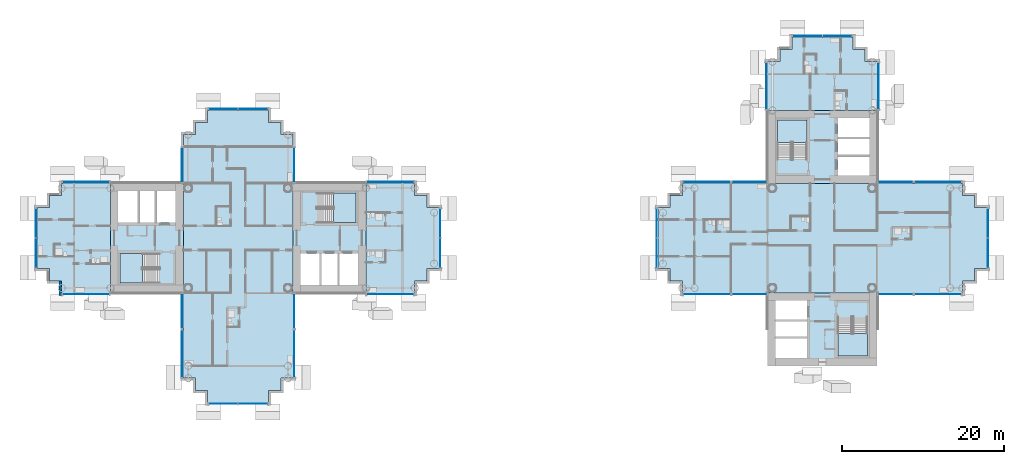
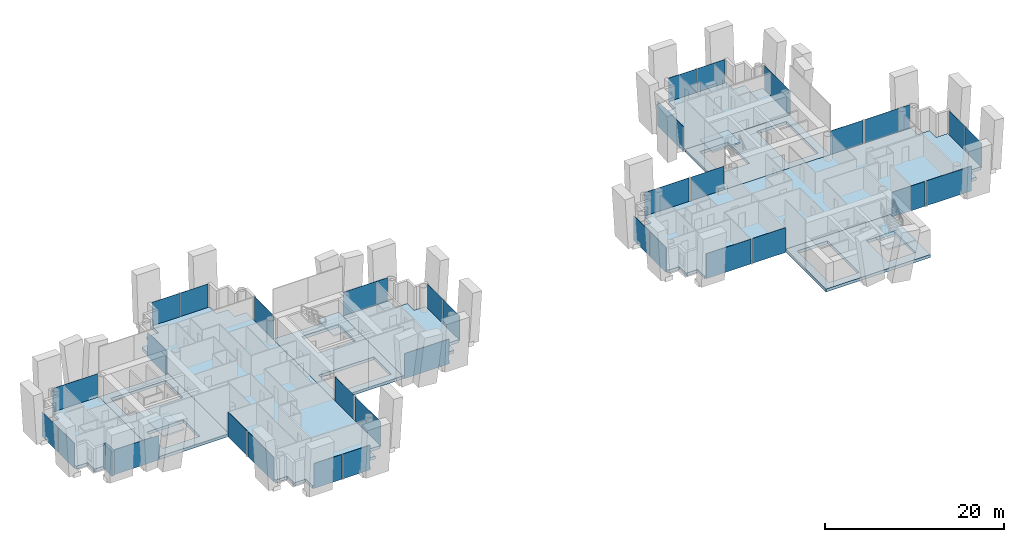
# One storey, part 7 of 21: 34 plates, 13 slabs, 1 wall, 31 elements without a shape of their own.
"""IFC4 building model written with IfcOpenShell, lengths in metres."""

from ifc_helpers import new_model, si_unit, direction, frame, frame_2d, origin, origin_2d, place, context, subcontext, project, spatial, polyline, rectangle, outline, extrude, material, layer, layer_set, type_object, element, aggregate, save


model = new_model("IFC4")

# Units and contexts
model_context = context("Model", 3, precision=1e-05, world=origin(), true_north=direction((0.0, 1.0)))
body_context = subcontext(model_context, "Body", "Model", "MODEL_VIEW")
ifc_project = project(units=[si_unit("LENGTHUNIT", "METRE"), si_unit("AREAUNIT", "SQUARE_METRE"), si_unit("VOLUMEUNIT", "CUBIC_METRE"), si_unit("PLANEANGLEUNIT", "RADIAN"), si_unit("MASSUNIT", "GRAM", prefix="KILO")], contexts=[model_context])

# Site, building, storey
site_placement = place(None, origin())
site = spatial("IfcSite", under=ifc_project, at=site_placement, CompositionType="ELEMENT")
building_placement = place(site_placement, origin())
building = spatial("IfcBuilding", under=site, at=building_placement, Name="Ipe Terrace Towers", CompositionType="ELEMENT")
storey_placement = place(building_placement, frame((0.0, 0.0, 107.199951171875)))
storey = spatial("IfcBuildingStorey", under=building, at=storey_placement, Name="L29", CompositionType="ELEMENT", Elevation=107.199951171875)

# Slabs
ifc_material_1 = material(Name="Concrete C30/37", Category="concrete")
ifc_layer_1 = layer(ifc_material_1, 0.39990234375)
ifc_layer_set_1 = layer_set([ifc_layer_1], Name="CORE FLOOR SLAB 400 C30-37")
slab_type_1 = type_object("IfcSlabType", Name="CORE FLOOR SLAB 400 C30-37", PredefinedType="FLOOR", material=ifc_layer_set_1)
slab_1_placement = place(storey_placement, frame((0.0, 0.0, -0.39990234375)))
element("IfcSlab", 1, at=slab_1_placement, inside=storey, type_object=slab_type_1, Name="Core floor T1-C1", PredefinedType="FLOOR", context=body_context, shape_type="SweptSolid", body=[
    extrude(outline(polyline([(-29.25, -6.75), (-29.25, 6.75), (-20.25, 6.75), (-20.25, -6.75), (-29.25, -6.75)]), holes=[polyline([(-28.300048828125, -5.800048828125), (-21.199951171875, -5.800048828125), (-21.199951171875, -1.89990234375), (-28.300048828125, -1.89990234375), (-28.300048828125, -5.800048828125)]), polyline([(-26.199951171875, 5.550048828125), (-26.199951171875, 1.89990234375), (-21.449951171875, 1.89990234375), (-21.449951171875, 5.550048828125), (-26.199951171875, 5.550048828125)])]), origin(), (0.0, 0.0, 1.0), 0.39990234375),
])
slab_2_placement = place(storey_placement, frame((0.0, 0.0, -0.39990234375)))
element("IfcSlab", 2, at=slab_2_placement, inside=storey, type_object=slab_type_1, Name="Core floor T1-C2", PredefinedType="FLOOR", context=body_context, shape_type="SweptSolid", body=[
    extrude(outline(polyline([(-51.75, -6.75), (-51.75, 6.75), (-42.75, 6.75), (-42.75, -6.75), (-51.75, -6.75)]), holes=[polyline([(-45.800048828125, -5.550048828125), (-45.800048828125, -1.89990234375), (-50.550048828125, -1.89990234375), (-50.550048828125, -5.550048828125), (-45.800048828125, -5.550048828125)]), polyline([(-50.800048828125, 1.89990234375), (-43.699951171875, 1.89990234375), (-43.699951171875, 5.800048828125), (-50.800048828125, 5.800048828125), (-50.800048828125, 1.89990234375)])]), origin(), (0.0, 0.0, 1.0), 0.39990234375),
])
slab_3_placement = place(storey_placement, frame((0.0, 0.0, -0.39990234375)))
element("IfcSlab", 3, at=slab_3_placement, inside=storey, type_object=slab_type_1, Name="Core floor T2-C1", PredefinedType="FLOOR", context=body_context, shape_type="SweptSolid", body=[
    extrude(outline(polyline([(29.25, 6.75), (29.25, 15.75), (42.75, 15.75), (42.75, 6.75), (29.25, 6.75)]), holes=[polyline([(41.800048828125, 7.699951171875), (41.800048828125, 14.800048828125), (37.89990234375, 14.800048828125), (37.89990234375, 7.699951171875), (41.800048828125, 7.699951171875)]), polyline([(30.449951171875, 9.800048828125), (34.10009765625, 9.800048828125), (34.10009765625, 14.550048828125), (30.449951171875, 14.550048828125), (30.449951171875, 9.800048828125)])]), origin(), (0.0, 0.0, 1.0), 0.39990234375),
])
slab_4_placement = place(storey_placement, frame((0.0, 0.0, -0.39990234375)))
element("IfcSlab", 4, at=slab_4_placement, inside=storey, type_object=slab_type_1, Name="Core floor T2-C2", PredefinedType="FLOOR", context=body_context, shape_type="SweptSolid", body=[
    extrude(outline(polyline([(29.25, -15.75), (29.25, -6.75), (42.75, -6.75), (42.75, -15.75), (29.25, -15.75)]), holes=[polyline([(34.10009765625, -14.800048828125), (34.10009765625, -7.699951171875), (30.199951171875, -7.699951171875), (30.199951171875, -14.800048828125), (34.10009765625, -14.800048828125)]), polyline([(41.550048828125, -9.800048828125), (37.89990234375, -9.800048828125), (37.89990234375, -14.550048828125), (41.550048828125, -14.550048828125), (41.550048828125, -9.800048828125)])]), origin(), (0.0, 0.0, 1.0), 0.39990234375),
])

# Stair, slab
ifc_material_2 = material(Name="Concrete C30/37", Category="concrete")
stair_type = type_object("IfcStairType", Name="Protected exit stair", PredefinedType="HALF_TURN_STAIR", material=ifc_material_2)
stair_1_placement = place(storey_placement, origin())
stair_1 = element("IfcStair", 5, at=stair_1_placement, inside=storey, type_object=stair_type, Name="L29 Exit stair T1-C1", PredefinedType="HALF_TURN_STAIR")
ifc_material_3 = material(Name="Concrete C30/37", Category="concrete")
ifc_layer_2 = layer(ifc_material_3, 0.199951171875)
ifc_layer_set_2 = layer_set([ifc_layer_2], Name="Exit stair landing 200")
slab_type_2 = type_object("IfcSlabType", Name="Exit stair landing 200", PredefinedType="LANDING", material=ifc_layer_set_2)
slab_5_placement = place(storey_placement, frame((0.0, 0.0, 1.5)))
slab_5 = element("IfcSlab", 6, at=slab_5_placement, type_object=slab_type_2, Name="T1-ST1 landing 1", PredefinedType="LANDING", context=body_context, shape_type="SweptSolid", body=[
    extrude(outline(polyline([(-24.219970703125, 1.89990234375), (-21.449951171875, 1.89990234375), (-21.449951171875, 5.550048828125), (-24.219970703125, 5.550048828125), (-24.219970703125, 1.89990234375)])), origin(), (0.0, 0.0, 1.0), 0.199951171875),
])
aggregate(stair_1, [slab_5])

stair_2_placement = place(storey_placement, origin())
stair_2 = element("IfcStair", 7, at=stair_2_placement, inside=storey, type_object=stair_type, Name="L29 Exit stair T1-C2", PredefinedType="HALF_TURN_STAIR")
slab_6_placement = place(storey_placement, frame((0.0, 0.0, 1.5)))
slab_6 = element("IfcSlab", 8, at=slab_6_placement, type_object=slab_type_2, Name="T1-ST2 landing 1", PredefinedType="LANDING", context=body_context, shape_type="SweptSolid", body=[
    extrude(outline(polyline([(-47.780029296875, -1.89990234375), (-50.550048828125, -1.89990234375), (-50.550048828125, -5.550048828125), (-47.780029296875, -5.550048828125), (-47.780029296875, -1.89990234375)])), origin(), (0.0, 0.0, 1.0), 0.199951171875),
])
aggregate(stair_2, [slab_6])

stair_3_placement = place(storey_placement, origin())
stair_3 = element("IfcStair", 9, at=stair_3_placement, inside=storey, type_object=stair_type, Name="L29 Exit stair T2-C1", PredefinedType="HALF_TURN_STAIR")
slab_7_placement = place(storey_placement, frame((0.0, 0.0, 1.5)))
slab_7 = element("IfcSlab", 10, at=slab_7_placement, type_object=slab_type_2, Name="T2-ST1 landing 1", PredefinedType="LANDING", context=body_context, shape_type="SweptSolid", body=[
    extrude(outline(polyline([(34.10009765625, 11.780029296875), (34.10009765625, 14.550048828125), (30.449951171875, 14.550048828125), (30.449951171875, 11.780029296875), (34.10009765625, 11.780029296875)])), origin(), (0.0, 0.0, 1.0), 0.199951171875),
])
aggregate(stair_3, [slab_7])

stair_4_placement = place(storey_placement, origin())
stair_4 = element("IfcStair", 11, at=stair_4_placement, inside=storey, type_object=stair_type, Name="L29 Exit stair T2-C2", PredefinedType="HALF_TURN_STAIR")
slab_8_placement = place(storey_placement, frame((0.0, 0.0, 1.5)))
slab_8 = element("IfcSlab", 12, at=slab_8_placement, type_object=slab_type_2, Name="T2-ST2 landing 1", PredefinedType="LANDING", context=body_context, shape_type="SweptSolid", body=[
    extrude(outline(polyline([(37.89990234375, -11.780029296875), (37.89990234375, -14.550048828125), (41.550048828125, -14.550048828125), (41.550048828125, -11.780029296875), (37.89990234375, -11.780029296875)])), origin(), (0.0, 0.0, 1.0), 0.199951171875),
])
aggregate(stair_4, [slab_8])

# Slabs
ifc_material_4 = material(Name="Concrete C40/50", Category="concrete")
ifc_layer_3 = layer(ifc_material_4, 0.39990234375)
ifc_layer_set_3 = layer_set([ifc_layer_3], Name="FLAT PLATE SLAB 400 C40-50")
slab_type_3 = type_object("IfcSlabType", Name="FLAT PLATE SLAB 400 C40-50", PredefinedType="FLOOR", material=ifc_layer_set_3)
slab_9_placement = place(storey_placement, frame((0.0, 0.0, -0.39990234375)))
element("IfcSlab", 13, at=slab_9_placement, inside=storey, type_object=slab_type_3, Name="Slab T1-FS-Z21", PredefinedType="FLOOR", context=body_context, shape_type="SweptSolid", body=[
    extrude(outline(polyline([(-30.75, -17.25), (-30.75, -18.75), (-32.25, -18.75), (-32.25, -20.25), (-39.75, -20.25), (-39.75, -18.75), (-41.25, -18.75), (-41.25, -17.25), (-42.75, -17.25), (-42.75, -6.75), (-42.75, 6.75), (-42.75, 12.75), (-41.25, 12.75), (-41.25, 14.25), (-39.75, 14.25), (-39.75, 15.75), (-32.25, 15.75), (-32.25, 14.25), (-30.75, 14.25), (-30.75, 12.75), (-29.25, 12.75), (-29.25, 6.75), (-29.25, -6.75), (-29.25, -17.25), (-30.75, -17.25)])), origin(), (0.0, 0.0, 1.0), 0.39990234375),
])
slab_10_placement = place(storey_placement, frame((0.0, 0.0, -0.39990234375)))
element("IfcSlab", 14, at=slab_10_placement, inside=storey, type_object=slab_type_3, Name="Slab T1-FS-Z22", PredefinedType="FLOOR", context=body_context, shape_type="SweptSolid", body=[
    extrude(outline(polyline([(-57.75, -6.75), (-57.75, -5.25), (-59.25, -5.25), (-59.25, -3.75), (-60.75, -3.75), (-60.75, 3.75), (-59.25, 3.75), (-59.25, 5.25), (-57.75, 5.25), (-57.75, 6.75), (-51.75, 6.75), (-51.75, -6.75), (-57.75, -6.75)])), origin(), (0.0, 0.0, 1.0), 0.39990234375),
])
slab_11_placement = place(storey_placement, frame((0.0, 0.0, -0.39990234375)))
element("IfcSlab", 15, at=slab_11_placement, inside=storey, type_object=slab_type_3, Name="Slab T1-FS-Z23", PredefinedType="FLOOR", context=body_context, shape_type="SweptSolid", body=[
    extrude(outline(polyline([(-14.25, 5.25), (-12.75, 5.25), (-12.75, 3.75), (-11.25, 3.75), (-11.25, -3.75), (-12.75, -3.75), (-12.75, -5.25), (-14.25, -5.25), (-14.25, -6.75), (-20.25, -6.75), (-20.25, 6.75), (-14.25, 6.75), (-14.25, 5.25)])), origin(), (0.0, 0.0, 1.0), 0.39990234375),
])
slab_12_placement = place(storey_placement, frame((0.0, 0.0, -0.39990234375)))
element("IfcSlab", 16, at=slab_12_placement, inside=storey, type_object=slab_type_3, Name="Slab T2-FS-Z21", PredefinedType="FLOOR", context=body_context, shape_type="SweptSolid", body=[
    extrude(outline(polyline([(53.25, 5.25), (54.75, 5.25), (54.75, 3.75), (56.25, 3.75), (56.25, -3.75), (54.75, -3.75), (54.75, -5.25), (53.25, -5.25), (53.25, -6.75), (42.75, -6.75), (29.25, -6.75), (18.75, -6.75), (18.75, -5.25), (17.25, -5.25), (17.25, -3.75), (15.75, -3.75), (15.75, 3.75), (17.25, 3.75), (17.25, 5.25), (18.75, 5.25), (18.75, 6.75), (29.25, 6.75), (42.75, 6.75), (53.25, 6.75), (53.25, 5.25)])), origin(), (0.0, 0.0, 1.0), 0.39990234375),
])
slab_13_placement = place(storey_placement, frame((0.0, 0.0, -0.39990234375)))
element("IfcSlab", 17, at=slab_13_placement, inside=storey, type_object=slab_type_3, Name="Slab T2-FS-Z22", PredefinedType="FLOOR", context=body_context, shape_type="SweptSolid", body=[
    extrude(outline(polyline([(30.75, 21.75), (30.75, 23.25), (32.25, 23.25), (32.25, 24.75), (39.75, 24.75), (39.75, 23.25), (41.25, 23.25), (41.25, 21.75), (42.75, 21.75), (42.75, 15.75), (29.25, 15.75), (29.25, 21.75), (30.75, 21.75)])), origin(), (0.0, 0.0, 1.0), 0.39990234375),
])

# Curtain wall, plate
ifc_material_5 = material(Name="Aluminium alloy 6063-T6", Category="aluminium")
ifc_layer_4 = layer(ifc_material_5, 0.320068359375)
ifc_layer_set_4 = layer_set([ifc_layer_4], Name="TOWER UNITISED CURTAIN WALL")
curtain_wall_type = type_object("IfcCurtainWallType", Name="TOWER UNITISED CURTAIN WALL", PredefinedType="NOTDEFINED", material=ifc_layer_set_4)
curtain_wall_1_placement = place(storey_placement, origin())
curtain_wall_1 = element("IfcCurtainWall", 18, at=curtain_wall_1_placement, inside=storey, type_object=curtain_wall_type, Name="T1-CW-L29-04a curtain wall", PredefinedType="NOTDEFINED")
ifc_material_6 = material(Name="Glass, clear laminated", Category="glass")
ifc_layer_5 = layer(ifc_material_6, 0.031982421875)
ifc_layer_set_5 = layer_set([ifc_layer_5], Name="TOWER UNITISED GLASS PANEL 32")
plate_type = type_object("IfcPlateType", Name="TOWER UNITISED GLASS PANEL 32", PredefinedType="CURTAIN_PANEL", material=ifc_layer_set_5)
plate_1_placement = place(storey_placement, frame((-54.75048828125, -6.909912109375, -0.2998046875), z_axis=(0.0, 0.0, 1.0), x_axis=(1.0, 0.0, 0.0)))
plate_1 = element("IfcPlate", 19, at=plate_1_placement, type_object=plate_type, Name="T1-CW-L29-04a panel 1", PredefinedType="CURTAIN_PANEL", context=body_context, shape_type="SweptSolid", body=[
    extrude(rectangle(XDim=5.759033203125, YDim=0.031982421875, at=origin_2d()), origin(), (0.0, 0.0, 1.0), 3.39990234375),
])
aggregate(curtain_wall_1, [plate_1])

curtain_wall_2_placement = place(storey_placement, origin())
curtain_wall_2 = element("IfcCurtainWall", 20, at=curtain_wall_2_placement, inside=storey, type_object=curtain_wall_type, Name="T1-CW-L29-06a curtain wall", PredefinedType="NOTDEFINED")
plate_2_placement = place(storey_placement, frame((-42.909912109375, -9.0, -0.2998046875), z_axis=(0.0, 0.0, 1.0), x_axis=(0.0, -1.0, 0.0)))
plate_2 = element("IfcPlate", 21, at=plate_2_placement, type_object=plate_type, Name="T1-CW-L29-06a panel 1", PredefinedType="CURTAIN_PANEL", context=body_context, shape_type="SweptSolid", body=[
    extrude(rectangle(XDim=4.260009765625, YDim=0.031982421875, at=origin_2d()), origin(), (0.0, 0.0, 1.0), 3.39990234375),
])
aggregate(curtain_wall_2, [plate_2])

curtain_wall_3_placement = place(storey_placement, origin())
curtain_wall_3 = element("IfcCurtainWall", 22, at=curtain_wall_3_placement, inside=storey, type_object=curtain_wall_type, Name="T1-CW-L29-07a curtain wall", PredefinedType="NOTDEFINED")
plate_3_placement = place(storey_placement, frame((-42.909912109375, -14.25, -0.2998046875), z_axis=(0.0, 0.0, 1.0), x_axis=(0.0, -1.0, 0.0)))
plate_3 = element("IfcPlate", 23, at=plate_3_placement, type_object=plate_type, Name="T1-CW-L29-07a panel 1", PredefinedType="CURTAIN_PANEL", context=body_context, shape_type="SweptSolid", body=[
    extrude(rectangle(XDim=5.760009765625, YDim=0.031982421875, at=origin_2d()), origin(), (0.0, 0.0, 1.0), 3.39990234375),
])
aggregate(curtain_wall_3, [plate_3])

# Curtain wall, plates
curtain_wall_4_placement = place(storey_placement, origin())
curtain_wall_4 = element("IfcCurtainWall", 24, at=curtain_wall_4_placement, inside=storey, type_object=curtain_wall_type, Name="T1-CW-L29-12a curtain wall", PredefinedType="NOTDEFINED")
plate_4_placement = place(storey_placement, frame((-37.831298828125, -20.409912109375, -0.2998046875), z_axis=(0.0, 0.0, 1.0), x_axis=(1.0, 0.0, 0.0)))
plate_4 = element("IfcPlate", 25, at=plate_4_placement, type_object=plate_type, Name="T1-CW-L29-12a panel 1", PredefinedType="CURTAIN_PANEL", context=body_context, shape_type="SweptSolid", body=[
    extrude(rectangle(XDim=3.597412109375, YDim=0.031982421875, at=origin_2d()), origin(), (0.0, 0.0, 1.0), 3.39990234375),
])
plate_5_placement = place(storey_placement, frame((-34.168701171875, -20.409912109375, -0.2998046875), z_axis=(0.0, 0.0, 1.0), x_axis=(1.0, 0.0, 0.0)))
plate_5 = element("IfcPlate", 26, at=plate_5_placement, type_object=plate_type, Name="T1-CW-L29-12a panel 2", PredefinedType="CURTAIN_PANEL", context=body_context, shape_type="SweptSolid", body=[
    extrude(rectangle(XDim=3.597412109375, YDim=0.031982421875, at=origin_2d()), origin(), (0.0, 0.0, 1.0), 3.39990234375),
])
aggregate(curtain_wall_4, [plate_4, plate_5])

# Curtain wall, plate
curtain_wall_5_placement = place(storey_placement, origin())
curtain_wall_5 = element("IfcCurtainWall", 27, at=curtain_wall_5_placement, inside=storey, type_object=curtain_wall_type, Name="T1-CW-L29-17a curtain wall", PredefinedType="NOTDEFINED")
plate_6_placement = place(storey_placement, frame((-29.090087890625, -14.25, -0.2998046875), z_axis=(0.0, 0.0, 1.0), x_axis=(0.0, 1.0, 0.0)))
plate_6 = element("IfcPlate", 28, at=plate_6_placement, type_object=plate_type, Name="T1-CW-L29-17a panel 1", PredefinedType="CURTAIN_PANEL", context=body_context, shape_type="SweptSolid", body=[
    extrude(rectangle(XDim=5.760009765625, YDim=0.031982421875, at=origin_2d()), origin(), (0.0, 0.0, 1.0), 3.39990234375),
])
aggregate(curtain_wall_5, [plate_6])

curtain_wall_6_placement = place(storey_placement, origin())
curtain_wall_6 = element("IfcCurtainWall", 29, at=curtain_wall_6_placement, inside=storey, type_object=curtain_wall_type, Name="T1-CW-L29-18a curtain wall", PredefinedType="NOTDEFINED")
plate_7_placement = place(storey_placement, frame((-29.090087890625, -9.0, -0.2998046875), z_axis=(0.0, 0.0, 1.0), x_axis=(0.0, 1.0, 0.0)))
plate_7 = element("IfcPlate", 30, at=plate_7_placement, type_object=plate_type, Name="T1-CW-L29-18a panel 1", PredefinedType="CURTAIN_PANEL", context=body_context, shape_type="SweptSolid", body=[
    extrude(rectangle(XDim=4.260009765625, YDim=0.031982421875, at=origin_2d()), origin(), (0.0, 0.0, 1.0), 3.39990234375),
])
aggregate(curtain_wall_6, [plate_7])

curtain_wall_7_placement = place(storey_placement, origin())
curtain_wall_7 = element("IfcCurtainWall", 31, at=curtain_wall_7_placement, inside=storey, type_object=curtain_wall_type, Name="T1-CW-L29-20b curtain wall", PredefinedType="NOTDEFINED")
plate_8_placement = place(storey_placement, frame((-17.24951171875, -6.909912109375, -0.2998046875), z_axis=(0.0, 0.0, 1.0), x_axis=(1.0, 0.0, 0.0)))
plate_8 = element("IfcPlate", 32, at=plate_8_placement, type_object=plate_type, Name="T1-CW-L29-20b panel 1", PredefinedType="CURTAIN_PANEL", context=body_context, shape_type="SweptSolid", body=[
    extrude(rectangle(XDim=5.759033203125, YDim=0.031982421875, at=origin_2d()), origin(), (0.0, 0.0, 1.0), 3.39990234375),
])
aggregate(curtain_wall_7, [plate_8])

# Curtain wall, plates
curtain_wall_8_placement = place(storey_placement, origin())
curtain_wall_8 = element("IfcCurtainWall", 33, at=curtain_wall_8_placement, inside=storey, type_object=curtain_wall_type, Name="T1-CW-L29-25a curtain wall", PredefinedType="NOTDEFINED")
plate_9_placement = place(storey_placement, frame((-11.090087890625, -1.831298828125, -0.2998046875), z_axis=(0.0, 0.0, 1.0), x_axis=(0.0, 1.0, 0.0)))
plate_9 = element("IfcPlate", 34, at=plate_9_placement, type_object=plate_type, Name="T1-CW-L29-25a panel 1", PredefinedType="CURTAIN_PANEL", context=body_context, shape_type="SweptSolid", body=[
    extrude(rectangle(XDim=3.597412109375, YDim=0.031982421875, at=origin_2d()), origin(), (0.0, 0.0, 1.0), 3.39990234375),
])
plate_10_placement = place(storey_placement, frame((-11.090087890625, 1.831298828125, -0.2998046875), z_axis=(0.0, 0.0, 1.0), x_axis=(0.0, 1.0, 0.0)))
plate_10 = element("IfcPlate", 35, at=plate_10_placement, type_object=plate_type, Name="T1-CW-L29-25a panel 2", PredefinedType="CURTAIN_PANEL", context=body_context, shape_type="SweptSolid", body=[
    extrude(rectangle(XDim=3.597412109375, YDim=0.031982421875, at=origin_2d()), origin(), (0.0, 0.0, 1.0), 3.39990234375),
])
aggregate(curtain_wall_8, [plate_9, plate_10])

# Curtain wall, plate
curtain_wall_9_placement = place(storey_placement, origin())
curtain_wall_9 = element("IfcCurtainWall", 36, at=curtain_wall_9_placement, inside=storey, type_object=curtain_wall_type, Name="T1-CW-L29-30a curtain wall", PredefinedType="NOTDEFINED")
plate_11_placement = place(storey_placement, frame((-17.24951171875, 6.909912109375, -0.2998046875), z_axis=(0.0, 0.0, 1.0), x_axis=(-1.0, 0.0, 0.0)))
plate_11 = element("IfcPlate", 37, at=plate_11_placement, type_object=plate_type, Name="T1-CW-L29-30a panel 1", PredefinedType="CURTAIN_PANEL", context=body_context, shape_type="SweptSolid", body=[
    extrude(rectangle(XDim=5.759033203125, YDim=0.031982421875, at=origin_2d()), origin(), (0.0, 0.0, 1.0), 3.39990234375),
])
aggregate(curtain_wall_9, [plate_11])

curtain_wall_10_placement = place(storey_placement, origin())
curtain_wall_10 = element("IfcCurtainWall", 38, at=curtain_wall_10_placement, inside=storey, type_object=curtain_wall_type, Name="T1-CW-L29-32a curtain wall", PredefinedType="NOTDEFINED")
plate_12_placement = place(storey_placement, frame((-29.090087890625, 9.0, -0.2998046875), z_axis=(0.0, 0.0, 1.0), x_axis=(0.0, 1.0, 0.0)))
plate_12 = element("IfcPlate", 39, at=plate_12_placement, type_object=plate_type, Name="T1-CW-L29-32a panel 1", PredefinedType="CURTAIN_PANEL", context=body_context, shape_type="SweptSolid", body=[
    extrude(rectangle(XDim=4.260009765625, YDim=0.031982421875, at=origin_2d()), origin(), (0.0, 0.0, 1.0), 3.39990234375),
])
aggregate(curtain_wall_10, [plate_12])

# Curtain wall, plates
curtain_wall_11_placement = place(storey_placement, origin())
curtain_wall_11 = element("IfcCurtainWall", 40, at=curtain_wall_11_placement, inside=storey, type_object=curtain_wall_type, Name="T1-CW-L29-38a curtain wall", PredefinedType="NOTDEFINED")
plate_13_placement = place(storey_placement, frame((-34.168701171875, 15.909912109375, -0.2998046875), z_axis=(0.0, 0.0, 1.0), x_axis=(-1.0, 0.0, 0.0)))
plate_13 = element("IfcPlate", 41, at=plate_13_placement, type_object=plate_type, Name="T1-CW-L29-38a panel 1", PredefinedType="CURTAIN_PANEL", context=body_context, shape_type="SweptSolid", body=[
    extrude(rectangle(XDim=3.597412109375, YDim=0.031982421875, at=origin_2d()), origin(), (0.0, 0.0, 1.0), 3.39990234375),
])
plate_14_placement = place(storey_placement, frame((-37.831298828125, 15.909912109375, -0.2998046875), z_axis=(0.0, 0.0, 1.0), x_axis=(-1.0, 0.0, 0.0)))
plate_14 = element("IfcPlate", 42, at=plate_14_placement, type_object=plate_type, Name="T1-CW-L29-38a panel 2", PredefinedType="CURTAIN_PANEL", context=body_context, shape_type="SweptSolid", body=[
    extrude(rectangle(XDim=3.597412109375, YDim=0.031982421875, at=origin_2d()), origin(), (0.0, 0.0, 1.0), 3.39990234375),
])
aggregate(curtain_wall_11, [plate_13, plate_14])

# Curtain wall, plate
curtain_wall_12_placement = place(storey_placement, origin())
curtain_wall_12 = element("IfcCurtainWall", 43, at=curtain_wall_12_placement, inside=storey, type_object=curtain_wall_type, Name="T1-CW-L29-44a curtain wall", PredefinedType="NOTDEFINED")
plate_15_placement = place(storey_placement, frame((-42.909912109375, 9.0, -0.2998046875), z_axis=(0.0, 0.0, 1.0), x_axis=(0.0, -1.0, 0.0)))
plate_15 = element("IfcPlate", 44, at=plate_15_placement, type_object=plate_type, Name="T1-CW-L29-44a panel 1", PredefinedType="CURTAIN_PANEL", context=body_context, shape_type="SweptSolid", body=[
    extrude(rectangle(XDim=4.260009765625, YDim=0.031982421875, at=origin_2d()), origin(), (0.0, 0.0, 1.0), 3.39990234375),
])
aggregate(curtain_wall_12, [plate_15])

curtain_wall_13_placement = place(storey_placement, origin())
curtain_wall_13 = element("IfcCurtainWall", 45, at=curtain_wall_13_placement, inside=storey, type_object=curtain_wall_type, Name="T1-CW-L29-46b curtain wall", PredefinedType="NOTDEFINED")
plate_16_placement = place(storey_placement, frame((-54.75048828125, 6.909912109375, -0.2998046875), z_axis=(0.0, 0.0, 1.0), x_axis=(-1.0, 0.0, 0.0)))
plate_16 = element("IfcPlate", 46, at=plate_16_placement, type_object=plate_type, Name="T1-CW-L29-46b panel 1", PredefinedType="CURTAIN_PANEL", context=body_context, shape_type="SweptSolid", body=[
    extrude(rectangle(XDim=5.759033203125, YDim=0.031982421875, at=origin_2d()), origin(), (0.0, 0.0, 1.0), 3.39990234375),
])
aggregate(curtain_wall_13, [plate_16])

# Curtain wall, plates
curtain_wall_14_placement = place(storey_placement, origin())
curtain_wall_14 = element("IfcCurtainWall", 47, at=curtain_wall_14_placement, inside=storey, type_object=curtain_wall_type, Name="T1-CW-L29-51a curtain wall", PredefinedType="NOTDEFINED")
plate_17_placement = place(storey_placement, frame((-60.909912109375, 1.831298828125, -0.2998046875), z_axis=(0.0, 0.0, 1.0), x_axis=(0.0, -1.0, 0.0)))
plate_17 = element("IfcPlate", 48, at=plate_17_placement, type_object=plate_type, Name="T1-CW-L29-51a panel 1", PredefinedType="CURTAIN_PANEL", context=body_context, shape_type="SweptSolid", body=[
    extrude(rectangle(XDim=3.597412109375, YDim=0.031982421875, at=origin_2d()), origin(), (0.0, 0.0, 1.0), 3.39990234375),
])
plate_18_placement = place(storey_placement, frame((-60.909912109375, -1.831298828125, -0.2998046875), z_axis=(0.0, 0.0, 1.0), x_axis=(0.0, -1.0, 0.0)))
plate_18 = element("IfcPlate", 49, at=plate_18_placement, type_object=plate_type, Name="T1-CW-L29-51a panel 2", PredefinedType="CURTAIN_PANEL", context=body_context, shape_type="SweptSolid", body=[
    extrude(rectangle(XDim=3.597412109375, YDim=0.031982421875, at=origin_2d()), origin(), (0.0, 0.0, 1.0), 3.39990234375),
])
aggregate(curtain_wall_14, [plate_17, plate_18])

# Curtain wall, plate
curtain_wall_15_placement = place(storey_placement, origin())
curtain_wall_15 = element("IfcCurtainWall", 50, at=curtain_wall_15_placement, inside=storey, type_object=curtain_wall_type, Name="T2-CW-L29-02a curtain wall", PredefinedType="NOTDEFINED")
plate_19_placement = place(storey_placement, frame((45.0, -6.909912109375, -0.2998046875), z_axis=(0.0, 0.0, 1.0), x_axis=(1.0, 0.0, 0.0)))
plate_19 = element("IfcPlate", 51, at=plate_19_placement, type_object=plate_type, Name="T2-CW-L29-02a panel 1", PredefinedType="CURTAIN_PANEL", context=body_context, shape_type="SweptSolid", body=[
    extrude(rectangle(XDim=4.260009765625, YDim=0.031982421875, at=origin_2d()), origin(), (0.0, 0.0, 1.0), 3.39990234375),
])
aggregate(curtain_wall_15, [plate_19])

curtain_wall_16_placement = place(storey_placement, origin())
curtain_wall_16 = element("IfcCurtainWall", 52, at=curtain_wall_16_placement, inside=storey, type_object=curtain_wall_type, Name="T2-CW-L29-03a curtain wall", PredefinedType="NOTDEFINED")
plate_20_placement = place(storey_placement, frame((50.25, -6.909912109375, -0.2998046875), z_axis=(0.0, 0.0, 1.0), x_axis=(1.0, 0.0, 0.0)))
plate_20 = element("IfcPlate", 53, at=plate_20_placement, type_object=plate_type, Name="T2-CW-L29-03a panel 1", PredefinedType="CURTAIN_PANEL", context=body_context, shape_type="SweptSolid", body=[
    extrude(rectangle(XDim=5.760009765625, YDim=0.031982421875, at=origin_2d()), origin(), (0.0, 0.0, 1.0), 3.39990234375),
])
aggregate(curtain_wall_16, [plate_20])

# Curtain wall, plates
curtain_wall_17_placement = place(storey_placement, origin())
curtain_wall_17 = element("IfcCurtainWall", 54, at=curtain_wall_17_placement, inside=storey, type_object=curtain_wall_type, Name="T2-CW-L29-08a curtain wall", PredefinedType="NOTDEFINED")
plate_21_placement = place(storey_placement, frame((56.409912109375, -1.831298828125, -0.2998046875), z_axis=(0.0, 0.0, 1.0), x_axis=(0.0, 1.0, 0.0)))
plate_21 = element("IfcPlate", 55, at=plate_21_placement, type_object=plate_type, Name="T2-CW-L29-08a panel 1", PredefinedType="CURTAIN_PANEL", context=body_context, shape_type="SweptSolid", body=[
    extrude(rectangle(XDim=3.597412109375, YDim=0.031982421875, at=origin_2d()), origin(), (0.0, 0.0, 1.0), 3.39990234375),
])
plate_22_placement = place(storey_placement, frame((56.409912109375, 1.831298828125, -0.2998046875), z_axis=(0.0, 0.0, 1.0), x_axis=(0.0, 1.0, 0.0)))
plate_22 = element("IfcPlate", 56, at=plate_22_placement, type_object=plate_type, Name="T2-CW-L29-08a panel 2", PredefinedType="CURTAIN_PANEL", context=body_context, shape_type="SweptSolid", body=[
    extrude(rectangle(XDim=3.597412109375, YDim=0.031982421875, at=origin_2d()), origin(), (0.0, 0.0, 1.0), 3.39990234375),
])
aggregate(curtain_wall_17, [plate_21, plate_22])

# Curtain wall, plate
curtain_wall_18_placement = place(storey_placement, origin())
curtain_wall_18 = element("IfcCurtainWall", 57, at=curtain_wall_18_placement, inside=storey, type_object=curtain_wall_type, Name="T2-CW-L29-13a curtain wall", PredefinedType="NOTDEFINED")
plate_23_placement = place(storey_placement, frame((50.25, 6.909912109375, -0.2998046875), z_axis=(0.0, 0.0, 1.0), x_axis=(-1.0, 0.0, 0.0)))
plate_23 = element("IfcPlate", 58, at=plate_23_placement, type_object=plate_type, Name="T2-CW-L29-13a panel 1", PredefinedType="CURTAIN_PANEL", context=body_context, shape_type="SweptSolid", body=[
    extrude(rectangle(XDim=5.760009765625, YDim=0.031982421875, at=origin_2d()), origin(), (0.0, 0.0, 1.0), 3.39990234375),
])
aggregate(curtain_wall_18, [plate_23])

curtain_wall_19_placement = place(storey_placement, origin())
curtain_wall_19 = element("IfcCurtainWall", 59, at=curtain_wall_19_placement, inside=storey, type_object=curtain_wall_type, Name="T2-CW-L29-14a curtain wall", PredefinedType="NOTDEFINED")
plate_24_placement = place(storey_placement, frame((45.0, 6.909912109375, -0.2998046875), z_axis=(0.0, 0.0, 1.0), x_axis=(-1.0, 0.0, 0.0)))
plate_24 = element("IfcPlate", 60, at=plate_24_placement, type_object=plate_type, Name="T2-CW-L29-14a panel 1", PredefinedType="CURTAIN_PANEL", context=body_context, shape_type="SweptSolid", body=[
    extrude(rectangle(XDim=4.260009765625, YDim=0.031982421875, at=origin_2d()), origin(), (0.0, 0.0, 1.0), 3.39990234375),
])
aggregate(curtain_wall_19, [plate_24])

curtain_wall_20_placement = place(storey_placement, origin())
curtain_wall_20 = element("IfcCurtainWall", 61, at=curtain_wall_20_placement, inside=storey, type_object=curtain_wall_type, Name="T2-CW-L29-16b curtain wall", PredefinedType="NOTDEFINED")
plate_25_placement = place(storey_placement, frame((42.909912109375, 18.75048828125, -0.2998046875), z_axis=(0.0, 0.0, 1.0), x_axis=(0.0, 1.0, 0.0)))
plate_25 = element("IfcPlate", 62, at=plate_25_placement, type_object=plate_type, Name="T2-CW-L29-16b panel 1", PredefinedType="CURTAIN_PANEL", context=body_context, shape_type="SweptSolid", body=[
    extrude(rectangle(XDim=5.759033203125, YDim=0.031982421875, at=origin_2d()), origin(), (0.0, 0.0, 1.0), 3.39990234375),
])
aggregate(curtain_wall_20, [plate_25])

# Curtain wall, plates
curtain_wall_21_placement = place(storey_placement, origin())
curtain_wall_21 = element("IfcCurtainWall", 63, at=curtain_wall_21_placement, inside=storey, type_object=curtain_wall_type, Name="T2-CW-L29-21a curtain wall", PredefinedType="NOTDEFINED")
plate_26_placement = place(storey_placement, frame((37.831298828125, 24.909912109375, -0.2998046875), z_axis=(0.0, 0.0, 1.0), x_axis=(-1.0, 0.0, 0.0)))
plate_26 = element("IfcPlate", 64, at=plate_26_placement, type_object=plate_type, Name="T2-CW-L29-21a panel 1", PredefinedType="CURTAIN_PANEL", context=body_context, shape_type="SweptSolid", body=[
    extrude(rectangle(XDim=3.597412109375, YDim=0.031982421875, at=origin_2d()), origin(), (0.0, 0.0, 1.0), 3.39990234375),
])
plate_27_placement = place(storey_placement, frame((34.168701171875, 24.909912109375, -0.2998046875), z_axis=(0.0, 0.0, 1.0), x_axis=(-1.0, 0.0, 0.0)))
plate_27 = element("IfcPlate", 65, at=plate_27_placement, type_object=plate_type, Name="T2-CW-L29-21a panel 2", PredefinedType="CURTAIN_PANEL", context=body_context, shape_type="SweptSolid", body=[
    extrude(rectangle(XDim=3.597412109375, YDim=0.031982421875, at=origin_2d()), origin(), (0.0, 0.0, 1.0), 3.39990234375),
])
aggregate(curtain_wall_21, [plate_26, plate_27])

# Curtain wall, plate
curtain_wall_22_placement = place(storey_placement, origin())
curtain_wall_22 = element("IfcCurtainWall", 66, at=curtain_wall_22_placement, inside=storey, type_object=curtain_wall_type, Name="T2-CW-L29-26a curtain wall", PredefinedType="NOTDEFINED")
plate_28_placement = place(storey_placement, frame((29.090087890625, 18.75048828125, -0.2998046875), z_axis=(0.0, 0.0, 1.0), x_axis=(0.0, -1.0, 0.0)))
plate_28 = element("IfcPlate", 67, at=plate_28_placement, type_object=plate_type, Name="T2-CW-L29-26a panel 1", PredefinedType="CURTAIN_PANEL", context=body_context, shape_type="SweptSolid", body=[
    extrude(rectangle(XDim=5.759033203125, YDim=0.031982421875, at=origin_2d()), origin(), (0.0, 0.0, 1.0), 3.39990234375),
])
aggregate(curtain_wall_22, [plate_28])

curtain_wall_23_placement = place(storey_placement, origin())
curtain_wall_23 = element("IfcCurtainWall", 68, at=curtain_wall_23_placement, inside=storey, type_object=curtain_wall_type, Name="T2-CW-L29-28a curtain wall", PredefinedType="NOTDEFINED")
plate_29_placement = place(storey_placement, frame((27.0, 6.909912109375, -0.2998046875), z_axis=(0.0, 0.0, 1.0), x_axis=(-1.0, 0.0, 0.0)))
plate_29 = element("IfcPlate", 69, at=plate_29_placement, type_object=plate_type, Name="T2-CW-L29-28a panel 1", PredefinedType="CURTAIN_PANEL", context=body_context, shape_type="SweptSolid", body=[
    extrude(rectangle(XDim=4.260009765625, YDim=0.031982421875, at=origin_2d()), origin(), (0.0, 0.0, 1.0), 3.39990234375),
])
aggregate(curtain_wall_23, [plate_29])

curtain_wall_24_placement = place(storey_placement, origin())
curtain_wall_24 = element("IfcCurtainWall", 70, at=curtain_wall_24_placement, inside=storey, type_object=curtain_wall_type, Name="T2-CW-L29-29a curtain wall", PredefinedType="NOTDEFINED")
plate_30_placement = place(storey_placement, frame((21.75, 6.909912109375, -0.2998046875), z_axis=(0.0, 0.0, 1.0), x_axis=(-1.0, 0.0, 0.0)))
plate_30 = element("IfcPlate", 71, at=plate_30_placement, type_object=plate_type, Name="T2-CW-L29-29a panel 1", PredefinedType="CURTAIN_PANEL", context=body_context, shape_type="SweptSolid", body=[
    extrude(rectangle(XDim=5.760009765625, YDim=0.031982421875, at=origin_2d()), origin(), (0.0, 0.0, 1.0), 3.39990234375),
])
aggregate(curtain_wall_24, [plate_30])

# Curtain wall, plates
curtain_wall_25_placement = place(storey_placement, origin())
curtain_wall_25 = element("IfcCurtainWall", 72, at=curtain_wall_25_placement, inside=storey, type_object=curtain_wall_type, Name="T2-CW-L29-34a curtain wall", PredefinedType="NOTDEFINED")
plate_31_placement = place(storey_placement, frame((15.590087890625, 1.831298828125, -0.2998046875), z_axis=(0.0, 0.0, 1.0), x_axis=(0.0, -1.0, 0.0)))
plate_31 = element("IfcPlate", 73, at=plate_31_placement, type_object=plate_type, Name="T2-CW-L29-34a panel 1", PredefinedType="CURTAIN_PANEL", context=body_context, shape_type="SweptSolid", body=[
    extrude(rectangle(XDim=3.597412109375, YDim=0.031982421875, at=origin_2d()), origin(), (0.0, 0.0, 1.0), 3.39990234375),
])
plate_32_placement = place(storey_placement, frame((15.590087890625, -1.831298828125, -0.2998046875), z_axis=(0.0, 0.0, 1.0), x_axis=(0.0, -1.0, 0.0)))
plate_32 = element("IfcPlate", 74, at=plate_32_placement, type_object=plate_type, Name="T2-CW-L29-34a panel 2", PredefinedType="CURTAIN_PANEL", context=body_context, shape_type="SweptSolid", body=[
    extrude(rectangle(XDim=3.597412109375, YDim=0.031982421875, at=origin_2d()), origin(), (0.0, 0.0, 1.0), 3.39990234375),
])
aggregate(curtain_wall_25, [plate_31, plate_32])

# Curtain wall, plate
curtain_wall_26_placement = place(storey_placement, origin())
curtain_wall_26 = element("IfcCurtainWall", 75, at=curtain_wall_26_placement, inside=storey, type_object=curtain_wall_type, Name="T2-CW-L29-39a curtain wall", PredefinedType="NOTDEFINED")
plate_33_placement = place(storey_placement, frame((21.75, -6.909912109375, -0.2998046875), z_axis=(0.0, 0.0, 1.0), x_axis=(1.0, 0.0, 0.0)))
plate_33 = element("IfcPlate", 76, at=plate_33_placement, type_object=plate_type, Name="T2-CW-L29-39a panel 1", PredefinedType="CURTAIN_PANEL", context=body_context, shape_type="SweptSolid", body=[
    extrude(rectangle(XDim=5.760009765625, YDim=0.031982421875, at=origin_2d()), origin(), (0.0, 0.0, 1.0), 3.39990234375),
])
aggregate(curtain_wall_26, [plate_33])

curtain_wall_27_placement = place(storey_placement, origin())
curtain_wall_27 = element("IfcCurtainWall", 77, at=curtain_wall_27_placement, inside=storey, type_object=curtain_wall_type, Name="T2-CW-L29-40a curtain wall", PredefinedType="NOTDEFINED")
plate_34_placement = place(storey_placement, frame((27.0, -6.909912109375, -0.2998046875), z_axis=(0.0, 0.0, 1.0), x_axis=(1.0, 0.0, 0.0)))
plate_34 = element("IfcPlate", 78, at=plate_34_placement, type_object=plate_type, Name="T2-CW-L29-40a panel 1", PredefinedType="CURTAIN_PANEL", context=body_context, shape_type="SweptSolid", body=[
    extrude(rectangle(XDim=4.260009765625, YDim=0.031982421875, at=origin_2d()), origin(), (0.0, 0.0, 1.0), 3.39990234375),
])
aggregate(curtain_wall_27, [plate_34])

# Wall
ifc_material_7 = material(Name="Concrete C40/50 with buff precast cladding", Category="concrete")
ifc_layer_6 = layer(ifc_material_7, 0.320068359375)
ifc_layer_set_6 = layer_set([ifc_layer_6], Name="BUFF CLADDING WALL 320")
wall_type = type_object("IfcWallType", Name="BUFF CLADDING WALL 320", PredefinedType="STANDARD", material=ifc_layer_set_6)
wall_placement = place(storey_placement, frame((-57.909912109375, -5.25, -0.300048828125), z_axis=(0.0, 0.0, 1.0), x_axis=(0.0, -1.0, 0.0)))
element("IfcWall", 79, at=wall_placement, inside=storey, type_object=wall_type, Name="T1-W-L29-03a wall", PredefinedType="STANDARD", context=body_context, shape_type="SweptSolid", body=[
    extrude(rectangle(XDim=1.820068359375, YDim=0.320068359375, at=frame_2d((0.91015625, 0.0))), origin(), (0.0, 0.0, 1.0), 3.400146484375),
])

save(model, "model.ifc")
